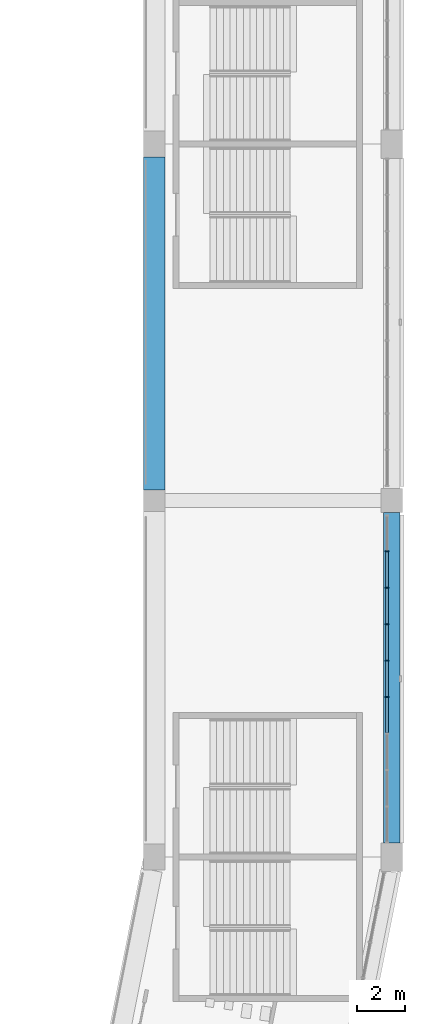
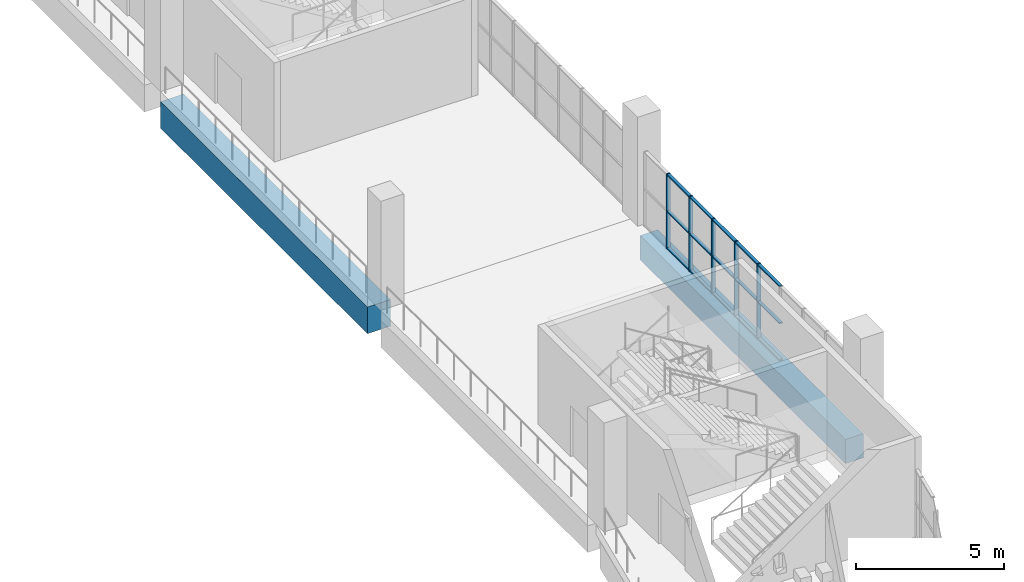
# One storey, part 21 of 177: 20 members, 2 beams, 1 element without a shape of its own.
"""IFC4 building model written with IfcOpenShell, lengths in metres."""

from ifc_helpers import new_model, si_unit, direction, frame, origin, origin_2d, place, context, subcontext, project, spatial, rectangle, extrude, material, material_profile, profile_set, type_object, element, aggregate, save


model = new_model("IFC4")

# Units and contexts
model_context = context("Model", 3, precision=1e-05, world=origin(), true_north=direction((0.0, 1.0)))
body_context = subcontext(model_context, "Body", "Model", "MODEL_VIEW")
ifc_project = project(units=[si_unit("LENGTHUNIT", "METRE"), si_unit("AREAUNIT", "SQUARE_METRE"), si_unit("VOLUMEUNIT", "CUBIC_METRE"), si_unit("PLANEANGLEUNIT", "RADIAN"), si_unit("MASSUNIT", "GRAM", prefix="KILO")], contexts=[model_context])

# Site, building, storey
site_placement = place(None, origin())
site = spatial("IfcSite", under=ifc_project, at=site_placement, CompositionType="ELEMENT")
building_placement = place(site_placement, origin())
building = spatial("IfcBuilding", under=site, at=building_placement, Name="Ogive Plaza Stadium", CompositionType="ELEMENT")
storey_placement = place(building_placement, frame((0.0, 0.0, 18.0)))
storey = spatial("IfcBuildingStorey", under=building, at=storey_placement, Name="L04", CompositionType="ELEMENT", Elevation=18.0)

# Curtain wall, members
ifc_material_1 = material(Name="Bronze-anodised aluminium with laminated glass", Category="aluminium")
curtain_wall_type = type_object("IfcCurtainWallType", Name="Lancet curtain wall", PredefinedType="NOTDEFINED", material=ifc_material_1)
curtain_wall_placement = place(storey_placement, origin())
curtain_wall = element("IfcCurtainWall", 1, at=curtain_wall_placement, inside=storey, type_object=curtain_wall_type, Name="CURTAIN WALL B07 L04", PredefinedType="NOTDEFINED")
ifc_material_2 = material(Name="Bronze-anodised aluminium", Category="aluminium")
ifc_material_profile_1 = material_profile(ifc_material_2, rectangle(XDim=0.14990234375, YDim=0.050048828125, at=origin_2d()), Name="AL 150x50")
ifc_profile_set_1 = profile_set([ifc_material_profile_1], Name="Bronze-anodised aluminium")
member_type_1 = type_object("IfcMemberType", Name="Curtain wall mullion 50x150", PredefinedType="MULLION", material=ifc_profile_set_1)
member_1_placement = place(storey_placement, frame((83.800048828125, -39.63330078125, 0.0), z_axis=(0.0, 0.0, 1.0), x_axis=(1.0, 0.0, 0.0)))
member_1 = element("IfcMember", 2, at=member_1_placement, type_object=member_type_1, Name="CW-B07-L04 mullion 2", PredefinedType="MULLION", context=body_context, shape_type="SweptSolid", body=[
    extrude(rectangle(XDim=0.14990234375, YDim=0.050048828125, at=origin_2d()), origin(), (0.0, 0.0, 1.0), 3.090087890625),
])
member_2_placement = place(storey_placement, frame((83.800048828125, -41.166748046875, 0.0), z_axis=(0.0, 0.0, 1.0), x_axis=(1.0, 0.0, 0.0)))
member_2 = element("IfcMember", 3, at=member_2_placement, type_object=member_type_1, Name="CW-B07-L04 mullion 3", PredefinedType="MULLION", context=body_context, shape_type="SweptSolid", body=[
    extrude(rectangle(XDim=0.14990234375, YDim=0.050048828125, at=origin_2d()), origin(), (0.0, 0.0, 1.0), 3.090087890625),
])
member_3_placement = place(storey_placement, frame((83.800048828125, -42.699951171875, 0.0), z_axis=(0.0, 0.0, 1.0), x_axis=(1.0, 0.0, 0.0)))
member_3 = element("IfcMember", 4, at=member_3_placement, type_object=member_type_1, Name="CW-B07-L04 mullion 4", PredefinedType="MULLION", context=body_context, shape_type="SweptSolid", body=[
    extrude(rectangle(XDim=0.14990234375, YDim=0.050048828125, at=origin_2d()), origin(), (0.0, 0.0, 1.0), 3.090087890625),
])
member_4_placement = place(storey_placement, frame((83.800048828125, -44.2333984375, 0.0), z_axis=(0.0, 0.0, 1.0), x_axis=(1.0, 0.0, 0.0)))
member_4 = element("IfcMember", 5, at=member_4_placement, type_object=member_type_1, Name="CW-B07-L04 mullion 5", PredefinedType="MULLION", context=body_context, shape_type="SweptSolid", body=[
    extrude(rectangle(XDim=0.14990234375, YDim=0.050048828125, at=origin_2d()), origin(), (0.0, 0.0, 1.0), 3.090087890625),
])
member_5_placement = place(storey_placement, frame((83.800048828125, -45.7666015625, 0.0), z_axis=(0.0, 0.0, 1.0), x_axis=(1.0, 0.0, 0.0)))
member_5 = element("IfcMember", 6, at=member_5_placement, type_object=member_type_1, Name="CW-B07-L04 mullion 6", PredefinedType="MULLION", context=body_context, shape_type="SweptSolid", body=[
    extrude(rectangle(XDim=0.14990234375, YDim=0.050048828125, at=origin_2d()), origin(), (0.0, 0.0, 1.0), 3.090087890625),
])
ifc_material_3 = material(Name="Bronze-anodised aluminium", Category="aluminium")
ifc_material_profile_2 = material_profile(ifc_material_3, rectangle(XDim=0.1201171875, YDim=0.050048828125, at=origin_2d()), Name="AL 120x50")
ifc_profile_set_2 = profile_set([ifc_material_profile_2], Name="Bronze-anodised aluminium")
member_type_2 = type_object("IfcMemberType", Name="Curtain wall transom 50x120", PredefinedType="USERDEFINED", material=ifc_profile_set_2)
member_6_placement = place(storey_placement, frame((83.800048828125, -39.658447265625, 0.02490234375), z_axis=(0.0, -1.0, 0.0), x_axis=(1.0, 0.0, 0.0)))
member_6 = element("IfcMember", 7, at=member_6_placement, type_object=member_type_2, Name="CW-B07-L04 transom 2.1", ObjectType="TRANSOM", PredefinedType="USERDEFINED", context=body_context, shape_type="SweptSolid", body=[
    extrude(rectangle(XDim=0.1201171875, YDim=0.050048828125, at=origin_2d()), origin(), (0.0, 0.0, 1.0), 1.483154296875),
])
member_7_placement = place(storey_placement, frame((83.800048828125, -39.658447265625, 1.544921875), z_axis=(0.0, -1.0, 0.0), x_axis=(1.0, 0.0, 0.0)))
member_7 = element("IfcMember", 8, at=member_7_placement, type_object=member_type_2, Name="CW-B07-L04 transom 2.2", ObjectType="TRANSOM", PredefinedType="USERDEFINED", context=body_context, shape_type="SweptSolid", body=[
    extrude(rectangle(XDim=0.1201171875, YDim=0.050048828125, at=origin_2d()), origin(), (0.0, 0.0, 1.0), 1.483154296875),
])
member_8_placement = place(storey_placement, frame((83.800048828125, -39.658447265625, 3.06494140625), z_axis=(0.0, -1.0, 0.0), x_axis=(1.0, 0.0, 0.0)))
member_8 = element("IfcMember", 9, at=member_8_placement, type_object=member_type_2, Name="CW-B07-L04 transom 2.3", ObjectType="TRANSOM", PredefinedType="USERDEFINED", context=body_context, shape_type="SweptSolid", body=[
    extrude(rectangle(XDim=0.1201171875, YDim=0.050048828125, at=origin_2d()), origin(), (0.0, 0.0, 1.0), 1.483154296875),
])
member_9_placement = place(storey_placement, frame((83.800048828125, -41.191650390625, 0.02490234375), z_axis=(0.0, -1.0, 0.0), x_axis=(1.0, 0.0, 0.0)))
member_9 = element("IfcMember", 10, at=member_9_placement, type_object=member_type_2, Name="CW-B07-L04 transom 3.1", ObjectType="TRANSOM", PredefinedType="USERDEFINED", context=body_context, shape_type="SweptSolid", body=[
    extrude(rectangle(XDim=0.1201171875, YDim=0.050048828125, at=origin_2d()), origin(), (0.0, 0.0, 1.0), 1.4833984375),
])
member_10_placement = place(storey_placement, frame((83.800048828125, -41.191650390625, 1.544921875), z_axis=(0.0, -1.0, 0.0), x_axis=(1.0, 0.0, 0.0)))
member_10 = element("IfcMember", 11, at=member_10_placement, type_object=member_type_2, Name="CW-B07-L04 transom 3.2", ObjectType="TRANSOM", PredefinedType="USERDEFINED", context=body_context, shape_type="SweptSolid", body=[
    extrude(rectangle(XDim=0.1201171875, YDim=0.050048828125, at=origin_2d()), origin(), (0.0, 0.0, 1.0), 1.4833984375),
])
member_11_placement = place(storey_placement, frame((83.800048828125, -41.191650390625, 3.06494140625), z_axis=(0.0, -1.0, 0.0), x_axis=(1.0, 0.0, 0.0)))
member_11 = element("IfcMember", 12, at=member_11_placement, type_object=member_type_2, Name="CW-B07-L04 transom 3.3", ObjectType="TRANSOM", PredefinedType="USERDEFINED", context=body_context, shape_type="SweptSolid", body=[
    extrude(rectangle(XDim=0.1201171875, YDim=0.050048828125, at=origin_2d()), origin(), (0.0, 0.0, 1.0), 1.4833984375),
])
member_12_placement = place(storey_placement, frame((83.800048828125, -42.72509765625, 0.02490234375), z_axis=(0.0, -1.0, 0.0), x_axis=(1.0, 0.0, 0.0)))
member_12 = element("IfcMember", 13, at=member_12_placement, type_object=member_type_2, Name="CW-B07-L04 transom 4.1", ObjectType="TRANSOM", PredefinedType="USERDEFINED", context=body_context, shape_type="SweptSolid", body=[
    extrude(rectangle(XDim=0.1201171875, YDim=0.050048828125, at=origin_2d()), origin(), (0.0, 0.0, 1.0), 1.483154296875),
])
member_13_placement = place(storey_placement, frame((83.800048828125, -42.72509765625, 1.544921875), z_axis=(0.0, -1.0, 0.0), x_axis=(1.0, 0.0, 0.0)))
member_13 = element("IfcMember", 14, at=member_13_placement, type_object=member_type_2, Name="CW-B07-L04 transom 4.2", ObjectType="TRANSOM", PredefinedType="USERDEFINED", context=body_context, shape_type="SweptSolid", body=[
    extrude(rectangle(XDim=0.1201171875, YDim=0.050048828125, at=origin_2d()), origin(), (0.0, 0.0, 1.0), 1.483154296875),
])
member_14_placement = place(storey_placement, frame((83.800048828125, -42.72509765625, 3.06494140625), z_axis=(0.0, -1.0, 0.0), x_axis=(1.0, 0.0, 0.0)))
member_14 = element("IfcMember", 15, at=member_14_placement, type_object=member_type_2, Name="CW-B07-L04 transom 4.3", ObjectType="TRANSOM", PredefinedType="USERDEFINED", context=body_context, shape_type="SweptSolid", body=[
    extrude(rectangle(XDim=0.1201171875, YDim=0.050048828125, at=origin_2d()), origin(), (0.0, 0.0, 1.0), 1.483154296875),
])
member_15_placement = place(storey_placement, frame((83.800048828125, -44.25830078125, 0.02490234375), z_axis=(0.0, -1.0, 0.0), x_axis=(1.0, 0.0, 0.0)))
member_15 = element("IfcMember", 16, at=member_15_placement, type_object=member_type_2, Name="CW-B07-L04 transom 5.1", ObjectType="TRANSOM", PredefinedType="USERDEFINED", context=body_context, shape_type="SweptSolid", body=[
    extrude(rectangle(XDim=0.1201171875, YDim=0.050048828125, at=origin_2d()), origin(), (0.0, 0.0, 1.0), 1.4833984375),
])
member_16_placement = place(storey_placement, frame((83.800048828125, -44.25830078125, 1.544921875), z_axis=(0.0, -1.0, 0.0), x_axis=(1.0, 0.0, 0.0)))
member_16 = element("IfcMember", 17, at=member_16_placement, type_object=member_type_2, Name="CW-B07-L04 transom 5.2", ObjectType="TRANSOM", PredefinedType="USERDEFINED", context=body_context, shape_type="SweptSolid", body=[
    extrude(rectangle(XDim=0.1201171875, YDim=0.050048828125, at=origin_2d()), origin(), (0.0, 0.0, 1.0), 1.4833984375),
])
member_17_placement = place(storey_placement, frame((83.800048828125, -44.25830078125, 3.06494140625), z_axis=(0.0, -1.0, 0.0), x_axis=(1.0, 0.0, 0.0)))
member_17 = element("IfcMember", 18, at=member_17_placement, type_object=member_type_2, Name="CW-B07-L04 transom 5.3", ObjectType="TRANSOM", PredefinedType="USERDEFINED", context=body_context, shape_type="SweptSolid", body=[
    extrude(rectangle(XDim=0.1201171875, YDim=0.050048828125, at=origin_2d()), origin(), (0.0, 0.0, 1.0), 1.4833984375),
])
member_18_placement = place(storey_placement, frame((83.800048828125, -45.791748046875, 0.02490234375), z_axis=(0.0, -1.0, 0.0), x_axis=(1.0, 0.0, 0.0)))
member_18 = element("IfcMember", 19, at=member_18_placement, type_object=member_type_2, Name="CW-B07-L04 transom 6.1", ObjectType="TRANSOM", PredefinedType="USERDEFINED", context=body_context, shape_type="SweptSolid", body=[
    extrude(rectangle(XDim=0.1201171875, YDim=0.050048828125, at=origin_2d()), origin(), (0.0, 0.0, 1.0), 1.483154296875),
])
member_19_placement = place(storey_placement, frame((83.800048828125, -45.791748046875, 1.544921875), z_axis=(0.0, -1.0, 0.0), x_axis=(1.0, 0.0, 0.0)))
member_19 = element("IfcMember", 20, at=member_19_placement, type_object=member_type_2, Name="CW-B07-L04 transom 6.2", ObjectType="TRANSOM", PredefinedType="USERDEFINED", context=body_context, shape_type="SweptSolid", body=[
    extrude(rectangle(XDim=0.1201171875, YDim=0.050048828125, at=origin_2d()), origin(), (0.0, 0.0, 1.0), 1.483154296875),
])
member_20_placement = place(storey_placement, frame((83.800048828125, -45.791748046875, 3.06494140625), z_axis=(0.0, -1.0, 0.0), x_axis=(1.0, 0.0, 0.0)))
member_20 = element("IfcMember", 21, at=member_20_placement, type_object=member_type_2, Name="CW-B07-L04 transom 6.3", ObjectType="TRANSOM", PredefinedType="USERDEFINED", context=body_context, shape_type="SweptSolid", body=[
    extrude(rectangle(XDim=0.1201171875, YDim=0.050048828125, at=origin_2d()), origin(), (0.0, 0.0, 1.0), 1.483154296875),
])
aggregate(curtain_wall, [member_1, member_2, member_3, member_4, member_5, member_6, member_7, member_8, member_9, member_10, member_11, member_12, member_13, member_14, member_15, member_16, member_17, member_18, member_19, member_20])

# Beams
ifc_material_4 = material(Name="Concrete C40/50", Category="concrete")
ifc_material_profile_3 = material_profile(ifc_material_4, rectangle(XDim=0.89990234375, YDim=1.10009765625, at=origin_2d()), Name="RC 900x1100")
ifc_profile_set_3 = profile_set([ifc_material_profile_3], Name="Concrete C40/50")
beam_type_1 = type_object("IfcBeamType", Name="RC ring beam 900x1100", PredefinedType="BEAM", material=ifc_profile_set_3)
beam_1_placement = place(storey_placement, frame((74.0, -23.050048828125, -0.9599609375), z_axis=(0.0, -1.0, 0.0), x_axis=(1.0, 0.0, 0.0)))
element("IfcBeam", 22, at=beam_1_placement, inside=storey, type_object=beam_type_1, Name="Ring beam F4 L04 B06", PredefinedType="BEAM", context=body_context, shape_type="SweptSolid", body=[
    extrude(rectangle(XDim=0.89990234375, YDim=1.10009765625, at=origin_2d()), origin(), (0.0, 0.0, 1.0), 14.0),
])
ifc_material_5 = material(Name="Concrete C40/50", Category="concrete")
ifc_material_profile_4 = material_profile(ifc_material_5, rectangle(XDim=0.699951171875, YDim=1.0, at=origin_2d()), Name="RC 700x1000")
ifc_profile_set_4 = profile_set([ifc_material_profile_4], Name="Concrete C40/50")
beam_type_2 = type_object("IfcBeamType", Name="RC spandrel beam 700x1000", PredefinedType="SPANDREL", material=ifc_profile_set_4)
beam_2_placement = place(storey_placement, frame((84.0, -38.0, -0.909912109375), z_axis=(0.0, -1.0, 0.0), x_axis=(1.0, 0.0, 0.0)))
element("IfcBeam", 23, at=beam_2_placement, inside=storey, type_object=beam_type_2, Name="Ring beam F5 L04 B07", PredefinedType="SPANDREL", context=body_context, shape_type="SweptSolid", body=[
    extrude(rectangle(XDim=0.699951171875, YDim=1.0, at=origin_2d()), origin(), (0.0, 0.0, 1.0), 13.89990234375),
])

save(model, "model.ifc")
